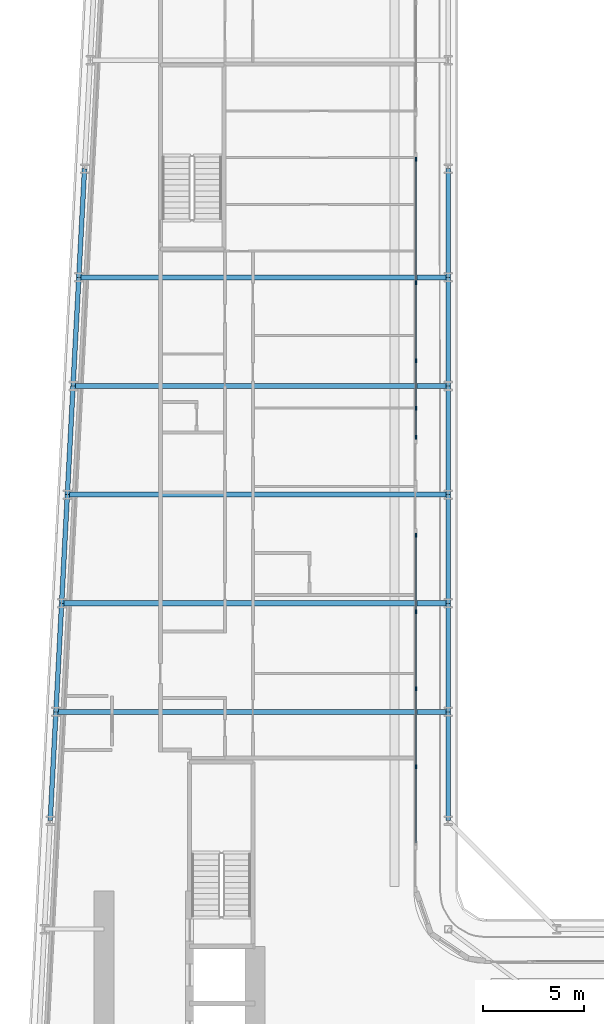
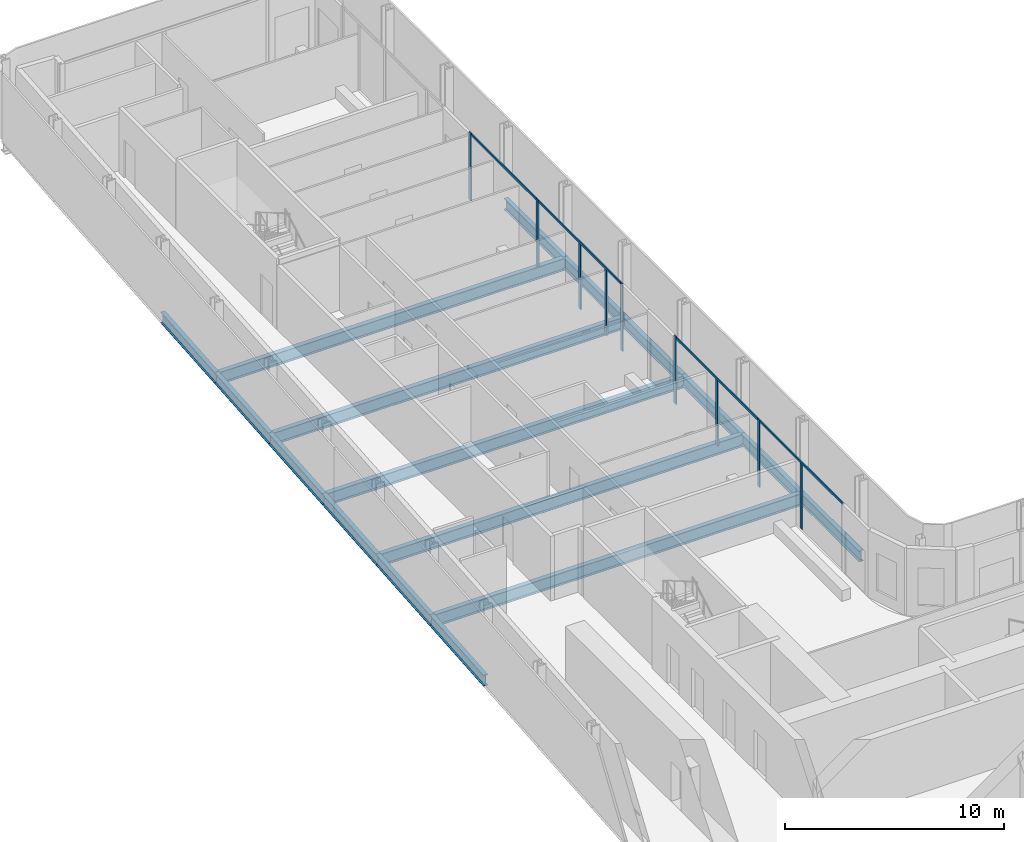
# One storey, part 7 of 29: 17 beams, 13 members, 4 elements without a shape of their own.
"""IFC4 building model written with IfcOpenShell, lengths in metres."""

from ifc_helpers import new_model, si_unit, direction, frame, origin, origin_2d, place, context, subcontext, project, spatial, rectangle, i_section, extrude, material, layer, layer_set, material_profile, profile_set, type_object, element, aggregate, save


model = new_model("IFC4")

# Units and contexts
model_context = context("Model", 3, precision=1e-05, world=origin(), true_north=direction((0.0, 1.0)))
body_context = subcontext(model_context, "Body", "Model", "MODEL_VIEW")
ifc_project = project(units=[si_unit("LENGTHUNIT", "METRE"), si_unit("AREAUNIT", "SQUARE_METRE"), si_unit("VOLUMEUNIT", "CUBIC_METRE"), si_unit("PLANEANGLEUNIT", "RADIAN"), si_unit("MASSUNIT", "GRAM", prefix="KILO")], contexts=[model_context])

# Site, building, storey
site_placement = place(None, origin())
site = spatial("IfcSite", under=ifc_project, at=site_placement, CompositionType="ELEMENT")
building_placement = place(site_placement, origin())
building = spatial("IfcBuilding", under=site, at=building_placement, Name="Kheshtan School and Residences Tower", CompositionType="ELEMENT")
storey_placement = place(building_placement, frame((0.0, 0.0, 69.5)))
storey = spatial("IfcBuildingStorey", under=building, at=storey_placement, Name="L16", CompositionType="ELEMENT", Elevation=69.5)

# Beams
ifc_material_1 = material(Name="Steel ASTM A992 Grade 50", Category="steel")
ifc_material_profile_1 = material_profile(ifc_material_1, i_section(OverallWidth=0.2529296875, OverallDepth=0.677978515625, WebThickness=0.01171875, FlangeThickness=0.016357421875, FilletRadius=0.0146484375, at=origin_2d()), Name="W690x125")
ifc_profile_set_1 = profile_set([ifc_material_profile_1], Name="Steel ASTM A992 Grade 50")
beam_type_1 = type_object("IfcBeamType", Name="Beam FB6 W690x125 ASTM A992 Grade 50", PredefinedType="BEAM", material=ifc_profile_set_1)
beam_1_placement = place(storey_placement, frame((47.60009765625, 72.60009765625, -0.489013671875), z_axis=(-1.0, 0.0, 0.0), x_axis=(0.0, -1.0, 0.0)))
element("IfcBeam", 1, at=beam_1_placement, inside=storey, type_object=beam_type_1, Name="Floor beam C087", PredefinedType="BEAM", context=body_context, shape_type="SweptSolid", body=[
    extrude(i_section(OverallWidth=0.2529296875, OverallDepth=0.677978515625, WebThickness=0.01171875, FlangeThickness=0.016357421875, FilletRadius=0.0146484375, at=origin_2d()), origin(), (0.0, 0.0, 1.0), 18.64208984375),
])
beam_2_placement = place(storey_placement, frame((47.60009765625, 61.800048828125, -0.489013671875), z_axis=(-1.0, 0.0, 0.0), x_axis=(0.0, -1.0, 0.0)))
element("IfcBeam", 2, at=beam_2_placement, inside=storey, type_object=beam_type_1, Name="Floor beam C083", PredefinedType="BEAM", context=body_context, shape_type="SweptSolid", body=[
    extrude(i_section(OverallWidth=0.2529296875, OverallDepth=0.677978515625, WebThickness=0.01171875, FlangeThickness=0.016357421875, FilletRadius=0.0146484375, at=origin_2d()), origin(), (0.0, 0.0, 1.0), 19.210205078125),
])
beam_3_placement = place(storey_placement, frame((28.10595703125, 56.39990234375, -0.489013671875), z_axis=(1.0, 0.0, 0.0), x_axis=(0.0, 1.0, 0.0)))
element("IfcBeam", 3, at=beam_3_placement, inside=storey, type_object=beam_type_1, Name="Floor beam C080", PredefinedType="BEAM", context=body_context, shape_type="SweptSolid", body=[
    extrude(i_section(OverallWidth=0.2529296875, OverallDepth=0.677978515625, WebThickness=0.01171875, FlangeThickness=0.016357421875, FilletRadius=0.0146484375, at=origin_2d()), origin(), (0.0, 0.0, 1.0), 19.494140625),
])
beam_4_placement = place(storey_placement, frame((28.674072265625, 67.199951171875, -0.489013671875), z_axis=(1.0, 0.0, 0.0), x_axis=(0.0, 1.0, 0.0)))
element("IfcBeam", 4, at=beam_4_placement, inside=storey, type_object=beam_type_1, Name="Floor beam C084", PredefinedType="BEAM", context=body_context, shape_type="SweptSolid", body=[
    extrude(i_section(OverallWidth=0.2529296875, OverallDepth=0.677978515625, WebThickness=0.01171875, FlangeThickness=0.016357421875, FilletRadius=0.0146484375, at=origin_2d()), origin(), (0.0, 0.0, 1.0), 18.926025390625),
])
beam_5_placement = place(storey_placement, frame((29.242919921875, 78.0, -0.489013671875), z_axis=(1.0, 0.0, 0.0), x_axis=(0.0, 1.0, 0.0)))
element("IfcBeam", 5, at=beam_5_placement, inside=storey, type_object=beam_type_1, Name="Floor beam C088", PredefinedType="BEAM", context=body_context, shape_type="SweptSolid", body=[
    extrude(i_section(OverallWidth=0.2529296875, OverallDepth=0.677978515625, WebThickness=0.01171875, FlangeThickness=0.016357421875, FilletRadius=0.0146484375, at=origin_2d()), origin(), (0.0, 0.0, 1.0), 18.357177734375),
])
ifc_material_profile_2 = material_profile(ifc_material_1, i_section(OverallWidth=0.22998046875, OverallDepth=0.616943359375, WebThickness=0.01318359375, FlangeThickness=0.022216796875, FilletRadius=0.0185546875, at=origin_2d()), Name="W610x140")
ifc_profile_set_2 = profile_set([ifc_material_profile_2], Name="Steel ASTM A992 Grade 50")
beam_type_2 = type_object("IfcBeamType", Name="Beam SP1 W610x140 ASTM A992 Grade 50", PredefinedType="BEAM", material=ifc_profile_set_2)
for number, where, z_axis, x_axis, name in (
    (6, (47.60009765625, 83.39990234375, -0.45849609375), (0.0, -1.0, 0.0), (1.0, 0.0, 0.0), "Spandrel beam C091-C089"),
    (7, (47.60009765625, 78.0, -0.45849609375), (0.0, -1.0, 0.0), (1.0, 0.0, 0.0), "Spandrel beam C089-C087"),
):
    element("IfcBeam", number, at=place(storey_placement, frame(where, z_axis=z_axis, x_axis=x_axis)), inside=storey, type_object=beam_type_2, Name=name, PredefinedType="BEAM", context=body_context, shape_type="SweptSolid", body=[
        extrude(i_section(OverallWidth=0.22998046875, OverallDepth=0.616943359375, WebThickness=0.01318359375, FlangeThickness=0.022216796875, FilletRadius=0.0185546875, at=origin_2d()), origin(), (0.0, 0.0, 1.0), 5.39990234375),
    ])
beam_6_placement = place(storey_placement, frame((47.60009765625, 72.60009765625, -0.45849609375), z_axis=(0.0, -1.0, 0.0), x_axis=(1.0, 0.0, 0.0)))
element("IfcBeam", 8, at=beam_6_placement, inside=storey, type_object=beam_type_2, Name="Spandrel beam C087-C085", PredefinedType="BEAM", context=body_context, shape_type="SweptSolid", body=[
    extrude(i_section(OverallWidth=0.22998046875, OverallDepth=0.616943359375, WebThickness=0.01318359375, FlangeThickness=0.022216796875, FilletRadius=0.0185546875, at=origin_2d()), origin(), (0.0, 0.0, 1.0), 5.400146484375),
])
beam_7_placement = place(storey_placement, frame((47.60009765625, 67.199951171875, -0.45849609375), z_axis=(0.0, -1.0, 0.0), x_axis=(1.0, 0.0, 0.0)))
element("IfcBeam", 9, at=beam_7_placement, inside=storey, type_object=beam_type_2, Name="Spandrel beam C085-C083", PredefinedType="BEAM", context=body_context, shape_type="SweptSolid", body=[
    extrude(i_section(OverallWidth=0.22998046875, OverallDepth=0.616943359375, WebThickness=0.01318359375, FlangeThickness=0.022216796875, FilletRadius=0.0185546875, at=origin_2d()), origin(), (0.0, 0.0, 1.0), 5.39990234375),
])
beam_8_placement = place(storey_placement, frame((47.60009765625, 61.800048828125, -0.45849609375), z_axis=(0.0, -1.0, 0.0), x_axis=(1.0, 0.0, 0.0)))
element("IfcBeam", 10, at=beam_8_placement, inside=storey, type_object=beam_type_2, Name="Spandrel beam C083-C081", PredefinedType="BEAM", context=body_context, shape_type="SweptSolid", body=[
    extrude(i_section(OverallWidth=0.22998046875, OverallDepth=0.616943359375, WebThickness=0.01318359375, FlangeThickness=0.022216796875, FilletRadius=0.0185546875, at=origin_2d()), origin(), (0.0, 0.0, 1.0), 5.400146484375),
])
beam_9_placement = place(storey_placement, frame((47.60009765625, 56.39990234375, -0.45849609375), z_axis=(0.0, -1.0, 0.0), x_axis=(1.0, 0.0, 0.0)))
element("IfcBeam", 11, at=beam_9_placement, inside=storey, type_object=beam_type_2, Name="Spandrel beam C081-C079", PredefinedType="BEAM", context=body_context, shape_type="SweptSolid", body=[
    extrude(i_section(OverallWidth=0.22998046875, OverallDepth=0.616943359375, WebThickness=0.01318359375, FlangeThickness=0.022216796875, FilletRadius=0.0185546875, at=origin_2d()), origin(), (0.0, 0.0, 1.0), 5.39990234375),
])
beam_10_placement = place(storey_placement, frame((27.822021484375, 51.0, -0.45849609375), z_axis=(0.05250906864, 0.998620447272, 0.0), x_axis=(-0.998620447272, 0.05250906864, 0.0)))
element("IfcBeam", 12, at=beam_10_placement, inside=storey, type_object=beam_type_2, Name="Spandrel beam C078-C080", PredefinedType="BEAM", context=body_context, shape_type="SweptSolid", body=[
    extrude(i_section(OverallWidth=0.22998046875, OverallDepth=0.616943359375, WebThickness=0.01318359375, FlangeThickness=0.022216796875, FilletRadius=0.0185546875, at=origin_2d()), origin(), (0.0, 0.0, 1.0), 5.407470703125),
])
beam_11_placement = place(storey_placement, frame((28.10595703125, 56.39990234375, -0.45849609375), z_axis=(0.05250670125, 0.998620571751, 0.0), x_axis=(-0.998620571751, 0.05250670125, 0.0)))
element("IfcBeam", 13, at=beam_11_placement, inside=storey, type_object=beam_type_2, Name="Spandrel beam C080-C082", PredefinedType="BEAM", context=body_context, shape_type="SweptSolid", body=[
    extrude(i_section(OverallWidth=0.22998046875, OverallDepth=0.616943359375, WebThickness=0.01318359375, FlangeThickness=0.022216796875, FilletRadius=0.0185546875, at=origin_2d()), origin(), (0.0, 0.0, 1.0), 5.40771484375),
])
beam_12_placement = place(storey_placement, frame((28.389892578125, 61.800048828125, -0.45849609375), z_axis=(0.052554093665, 0.998618078766, 0.0), x_axis=(-0.998618078766, 0.052554093665, 0.0)))
element("IfcBeam", 14, at=beam_12_placement, inside=storey, type_object=beam_type_2, Name="Spandrel beam C082-C084", PredefinedType="BEAM", context=body_context, shape_type="SweptSolid", body=[
    extrude(i_section(OverallWidth=0.22998046875, OverallDepth=0.616943359375, WebThickness=0.01318359375, FlangeThickness=0.022216796875, FilletRadius=0.0185546875, at=origin_2d()), origin(), (0.0, 0.0, 1.0), 5.407470703125),
])
beam_13_placement = place(storey_placement, frame((28.674072265625, 67.199951171875, -0.45849609375), z_axis=(0.05250670125, 0.998620571751, 0.0), x_axis=(-0.998620571751, 0.05250670125, 0.0)))
element("IfcBeam", 15, at=beam_13_placement, inside=storey, type_object=beam_type_2, Name="Spandrel beam C084-C086", PredefinedType="BEAM", context=body_context, shape_type="SweptSolid", body=[
    extrude(i_section(OverallWidth=0.22998046875, OverallDepth=0.616943359375, WebThickness=0.01318359375, FlangeThickness=0.022216796875, FilletRadius=0.0185546875, at=origin_2d()), origin(), (0.0, 0.0, 1.0), 5.40771484375),
])
for number, where, z_axis, x_axis, name in (
    (16, (28.9580078125, 72.60009765625, -0.45849609375), (0.052689166816, 0.998610961136, 0.0), (-0.998610961136, 0.052689166816, 0.0), "Spandrel beam C086-C088"),
    (17, (29.242919921875, 78.0, -0.45849609375), (0.052554093665, 0.998618078766, 0.0), (-0.998618078766, 0.052554093665, 0.0), "Spandrel beam C088-C090"),
):
    element("IfcBeam", number, at=place(storey_placement, frame(where, z_axis=z_axis, x_axis=x_axis)), inside=storey, type_object=beam_type_2, Name=name, PredefinedType="BEAM", context=body_context, shape_type="SweptSolid", body=[
        extrude(i_section(OverallWidth=0.22998046875, OverallDepth=0.616943359375, WebThickness=0.01318359375, FlangeThickness=0.022216796875, FilletRadius=0.0185546875, at=origin_2d()), origin(), (0.0, 0.0, 1.0), 5.407470703125),
    ])

# Curtain wall, members
ifc_material_2 = material(Name="Clear low-e glass in thermally broken aluminium frame", Category="aluminium")
ifc_layer = layer(ifc_material_2, 0.199951171875)
ifc_layer_set = layer_set([ifc_layer], Name="Curtain wall CW-L")
curtain_wall_type = type_object("IfcCurtainWallType", Name="Curtain wall CW-L", PredefinedType="NOTDEFINED", material=ifc_layer_set)
curtain_wall_1_placement = place(storey_placement, origin())
curtain_wall_1 = element("IfcCurtainWall", 18, at=curtain_wall_1_placement, inside=storey, type_object=curtain_wall_type, Name="Curtain wall CWL8d", PredefinedType="NOTDEFINED")
ifc_material_3 = material(Name="Thermally broken aluminium, dark bronze anodised", Category="aluminium")
ifc_material_profile_3 = material_profile(ifc_material_3, rectangle(XDim=0.06005859375, YDim=0.199951171875, at=origin_2d()), Name="CW-L mullion 60x200")
ifc_profile_set_3 = profile_set([ifc_material_profile_3], Name="Thermally broken aluminium, dark bronze anodised")
member_type_1 = type_object("IfcMemberType", Name="CW-L mullion 60x200", PredefinedType="MULLION", material=ifc_profile_set_3)
member_1_placement = place(storey_placement, frame((46.0, 83.8759765625, 0.0), z_axis=(0.0, 0.0, 1.0), x_axis=(1.0, 0.0, 0.0)))
member_1 = element("IfcMember", 19, at=member_1_placement, type_object=member_type_1, Name="CWL8d mullion 1", PredefinedType="MULLION", context=body_context, shape_type="SweptSolid", body=[
    extrude(rectangle(XDim=0.06005859375, YDim=0.199951171875, at=origin_2d()), origin(), (0.0, 0.0, 1.0), 3.75),
])
member_2_placement = place(storey_placement, frame((46.0, 77.741943359375, 0.0), z_axis=(0.0, 0.0, 1.0), x_axis=(1.0, 0.0, 0.0)))
member_2 = element("IfcMember", 20, at=member_2_placement, type_object=member_type_1, Name="CWL8d mullion 2", PredefinedType="MULLION", context=body_context, shape_type="SweptSolid", body=[
    extrude(rectangle(XDim=0.06005859375, YDim=0.199951171875, at=origin_2d()), origin(), (0.0, 0.0, 1.0), 3.75),
])

curtain_wall_2_placement = place(storey_placement, origin())
curtain_wall_2 = element("IfcCurtainWall", 21, at=curtain_wall_2_placement, inside=storey, type_object=curtain_wall_type, Name="Curtain wall CWL8c", PredefinedType="NOTDEFINED")
member_3_placement = place(storey_placement, frame((46.0, 73.864990234375, 0.0), z_axis=(0.0, 0.0, 1.0), x_axis=(1.0, 0.0, 0.0)))
member_3 = element("IfcMember", 22, at=member_3_placement, type_object=member_type_1, Name="CWL8c mullion 2", PredefinedType="MULLION", context=body_context, shape_type="SweptSolid", body=[
    extrude(rectangle(XDim=0.06005859375, YDim=0.199951171875, at=origin_2d()), origin(), (0.0, 0.0, 1.0), 3.6298828125),
])
member_4_placement = place(storey_placement, frame((46.0, 71.5, 0.0), z_axis=(0.0, 0.0, 1.0), x_axis=(1.0, 0.0, 0.0)))
member_4 = element("IfcMember", 23, at=member_4_placement, type_object=member_type_1, Name="CWL8c mullion 3", PredefinedType="MULLION", context=body_context, shape_type="SweptSolid", body=[
    extrude(rectangle(XDim=0.06005859375, YDim=0.199951171875, at=origin_2d()), origin(), (0.0, 0.0, 1.0), 3.6298828125),
])
member_5_placement = place(storey_placement, frame((46.0, 70.048095703125, 0.0), z_axis=(0.0, 0.0, 1.0), x_axis=(1.0, 0.0, 0.0)))
member_5 = element("IfcMember", 24, at=member_5_placement, type_object=member_type_1, Name="CWL8c mullion 4", PredefinedType="MULLION", context=body_context, shape_type="SweptSolid", body=[
    extrude(rectangle(XDim=0.06005859375, YDim=0.199951171875, at=origin_2d()), origin(), (0.0, 0.0, 1.0), 3.75),
])

curtain_wall_3_placement = place(storey_placement, origin())
curtain_wall_3 = element("IfcCurtainWall", 25, at=curtain_wall_3_placement, inside=storey, type_object=curtain_wall_type, Name="Curtain wall CWL8", PredefinedType="NOTDEFINED")
member_6_placement = place(storey_placement, frame((46.0, 65.18798828125, 0.0), z_axis=(0.0, 0.0, 1.0), x_axis=(1.0, 0.0, 0.0)))
member_6 = element("IfcMember", 26, at=member_6_placement, type_object=member_type_1, Name="CWL8 mullion 1", PredefinedType="MULLION", context=body_context, shape_type="SweptSolid", body=[
    extrude(rectangle(XDim=0.06005859375, YDim=0.199951171875, at=origin_2d()), origin(), (0.0, 0.0, 1.0), 3.75),
])
member_7_placement = place(storey_placement, frame((46.0, 61.37109375, 0.0), z_axis=(0.0, 0.0, 1.0), x_axis=(1.0, 0.0, 0.0)))
member_7 = element("IfcMember", 27, at=member_7_placement, type_object=member_type_1, Name="CWL8 mullion 2", PredefinedType="MULLION", context=body_context, shape_type="SweptSolid", body=[
    extrude(rectangle(XDim=0.06005859375, YDim=0.199951171875, at=origin_2d()), origin(), (0.0, 0.0, 1.0), 3.6298828125),
])
member_8_placement = place(storey_placement, frame((46.0, 57.553955078125, 0.0), z_axis=(0.0, 0.0, 1.0), x_axis=(1.0, 0.0, 0.0)))
member_8 = element("IfcMember", 28, at=member_8_placement, type_object=member_type_1, Name="CWL8 mullion 3", PredefinedType="MULLION", context=body_context, shape_type="SweptSolid", body=[
    extrude(rectangle(XDim=0.06005859375, YDim=0.199951171875, at=origin_2d()), origin(), (0.0, 0.0, 1.0), 3.75),
])

# Curtain wall, member
curtain_wall_4_placement = place(storey_placement, origin())
curtain_wall_4 = element("IfcCurtainWall", 29, at=curtain_wall_4_placement, inside=storey, type_object=curtain_wall_type, Name="Curtain wall CWL8", PredefinedType="NOTDEFINED")
member_9_placement = place(storey_placement, frame((46.0, 53.677001953125, 0.0), z_axis=(0.0, 0.0, 1.0), x_axis=(1.0, 0.0, 0.0)))
member_9 = element("IfcMember", 30, at=member_9_placement, type_object=member_type_1, Name="CWL8 mullion 2", PredefinedType="MULLION", context=body_context, shape_type="SweptSolid", body=[
    extrude(rectangle(XDim=0.06005859375, YDim=0.199951171875, at=origin_2d()), origin(), (0.0, 0.0, 1.0), 3.6298828125),
])

# Member
ifc_material_profile_4 = material_profile(ifc_material_3, rectangle(XDim=0.06005859375, YDim=0.1201171875, at=origin_2d()), Name="CW-L transom 60x120")
ifc_profile_set_4 = profile_set([ifc_material_profile_4], Name="Thermally broken aluminium, dark bronze anodised")
member_type_2 = type_object("IfcMemberType", Name="CW-L transom 60x120", PredefinedType="USERDEFINED", material=ifc_profile_set_4)
member_10_placement = place(storey_placement, frame((46.0, 83.845947265625, 3.68994140625), z_axis=(0.0, -1.0, 0.0), x_axis=(1.0, 0.0, 0.0)))
member_10 = element("IfcMember", 31, at=member_10_placement, type_object=member_type_2, Name="CWL8d transom 1", ObjectType="TRANSOM", PredefinedType="USERDEFINED", context=body_context, shape_type="SweptSolid", body=[
    extrude(rectangle(XDim=0.06005859375, YDim=0.1201171875, at=origin_2d()), origin(), (0.0, 0.0, 1.0), 6.073974609375),
])

aggregate(curtain_wall_1, [member_1, member_2, member_10])

member_11_placement = place(storey_placement, frame((46.0, 77.7119140625, 3.68994140625), z_axis=(0.0, -1.0, 0.0), x_axis=(1.0, 0.0, 0.0)))
member_11 = element("IfcMember", 32, at=member_11_placement, type_object=member_type_2, Name="CWL8c transom 1", ObjectType="TRANSOM", PredefinedType="USERDEFINED", context=body_context, shape_type="SweptSolid", body=[
    extrude(rectangle(XDim=0.06005859375, YDim=0.1201171875, at=origin_2d()), origin(), (0.0, 0.0, 1.0), 7.634033203125),
])

aggregate(curtain_wall_2, [member_3, member_4, member_5, member_11])

member_12_placement = place(storey_placement, frame((46.0, 65.157958984375, 3.68994140625), z_axis=(0.0, -1.0, 0.0), x_axis=(1.0, 0.0, 0.0)))
member_12 = element("IfcMember", 33, at=member_12_placement, type_object=member_type_2, Name="CWL8 transom 1", ObjectType="TRANSOM", PredefinedType="USERDEFINED", context=body_context, shape_type="SweptSolid", body=[
    extrude(rectangle(XDim=0.06005859375, YDim=0.1201171875, at=origin_2d()), origin(), (0.0, 0.0, 1.0), 7.573974609375),
])

aggregate(curtain_wall_3, [member_6, member_7, member_8, member_12])

member_13_placement = place(storey_placement, frame((46.0, 57.52392578125, 3.68994140625), z_axis=(0.0, -1.0, 0.0), x_axis=(1.0, 0.0, 0.0)))
member_13 = element("IfcMember", 34, at=member_13_placement, type_object=member_type_2, Name="CWL8 transom 1", ObjectType="TRANSOM", PredefinedType="USERDEFINED", context=body_context, shape_type="SweptSolid", body=[
    extrude(rectangle(XDim=0.06005859375, YDim=0.1201171875, at=origin_2d()), origin(), (0.0, 0.0, 1.0), 7.634033203125),
])

aggregate(curtain_wall_4, [member_9, member_13])

save(model, "model.ifc")
